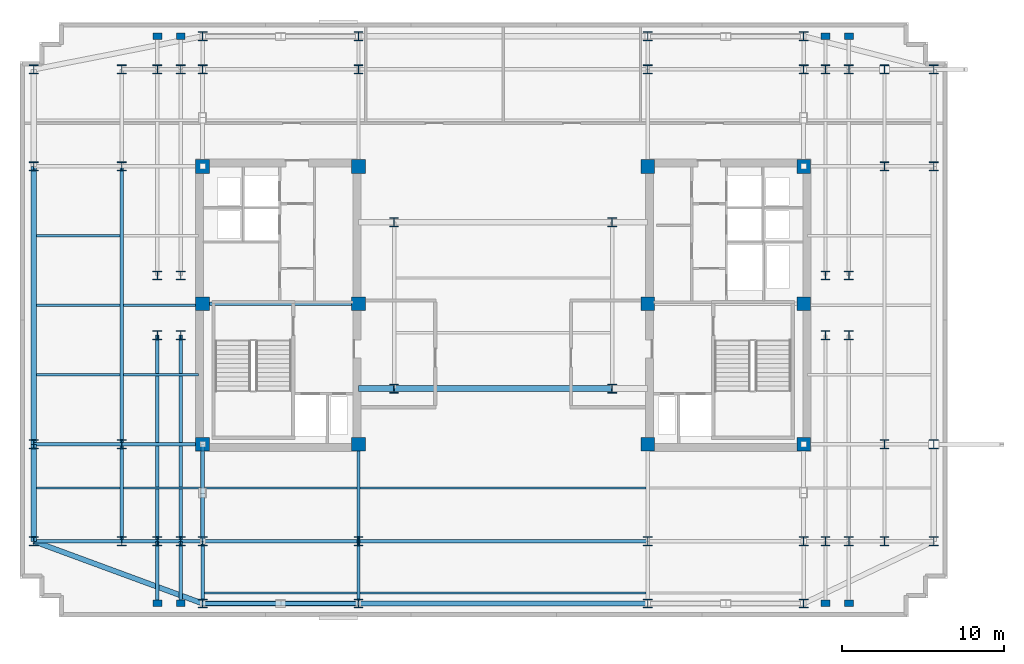
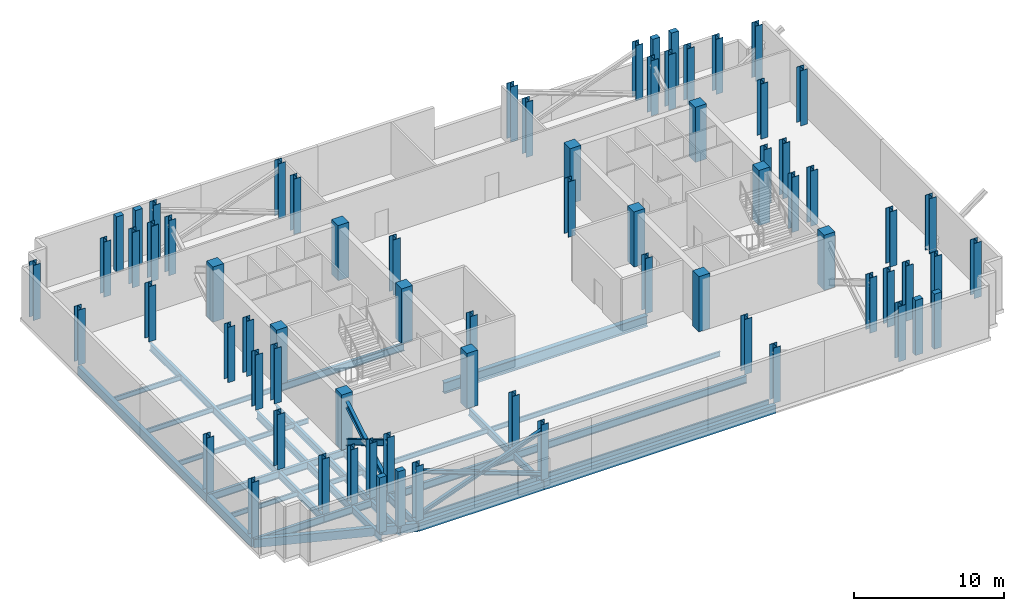
# One storey, part 1 of 8: 72 columns, 35 beams, 6 members.
"""IFC4 building model written with IfcOpenShell, lengths in metres."""

from ifc_helpers import new_model, si_unit, direction, frame, origin, origin_2d, place, context, subcontext, project, spatial, rectangle, i_section, extrude, material, material_profile, profile_set, type_object, element, save


model = new_model("IFC4")

# Units and contexts
model_context = context("Model", 3, precision=1e-05, world=origin(), true_north=direction((0.0, 1.0)))
body_context = subcontext(model_context, "Body", "Model", "MODEL_VIEW")
ifc_project = project(units=[si_unit("LENGTHUNIT", "METRE"), si_unit("AREAUNIT", "SQUARE_METRE"), si_unit("VOLUMEUNIT", "CUBIC_METRE"), si_unit("PLANEANGLEUNIT", "RADIAN"), si_unit("MASSUNIT", "GRAM", prefix="KILO")], contexts=[model_context])

# Site, building, storey
site_placement = place(None, origin())
site = spatial("IfcSite", under=ifc_project, at=site_placement, CompositionType="ELEMENT")
building_placement = place(site_placement, origin())
building = spatial("IfcBuilding", under=site, at=building_placement, Name="Velakula Bourse", CompositionType="ELEMENT")
storey_placement = place(building_placement, frame((0.0, 0.0, 243.0)))
storey = spatial("IfcBuildingStorey", under=building, at=storey_placement, Name="L66", CompositionType="ELEMENT", Elevation=243.0)

# Columns
ifc_material_1 = material(Name="Concrete M50 (fck 50 MPa)", Category="concrete")
ifc_material_profile_1 = material_profile(ifc_material_1, rectangle(XDim=0.85009765625, YDim=0.85009765625, at=origin_2d()), Name="Concrete M50 (fck 50 MPa)")
ifc_profile_set_1 = profile_set([ifc_material_profile_1], Name="Concrete M50 (fck 50 MPa)")
column_type_1 = type_object("IfcColumnType", Name="COL-RC-850", PredefinedType="COLUMN", material=ifc_profile_set_1)
for number, where, z_axis, x_axis, name in (
    (1, (-8.949951171875, -8.60009765625, 0.0), (0.0, 0.0, 1.0), (1.0, 0.0, 0.0), "L66 Core Boundary Column 01"),
    (2, (-8.949951171875, 0.10009765625, 0.0), (0.0, 0.0, 1.0), (1.0, 0.0, 0.0), "L66 Core Boundary Column 02"),
    (3, (-8.949951171875, 8.60009765625, 0.0), (0.0, 0.0, 1.0), (1.0, 0.0, 0.0), "L66 Core Boundary Column 03"),
    (4, (-18.60009765625, -8.60009765625, 0.0), (0.0, 0.0, 1.0), (1.0, 0.0, 0.0), "L66 Core Boundary Column 04"),
    (5, (-18.60009765625, 0.10009765625, 0.0), (0.0, 0.0, 1.0), (1.0, 0.0, 0.0), "L66 Core Boundary Column 05"),
    (6, (-18.60009765625, 8.60009765625, 0.0), (0.0, 0.0, 1.0), (1.0, 0.0, 0.0), "L66 Core Boundary Column 06"),
    (7, (8.949951171875, -8.60009765625, 0.0), (0.0, 0.0, 1.0), (1.0, 0.0, 0.0), "L66 Core Boundary Column 07"),
    (8, (8.949951171875, 0.10009765625, 0.0), (0.0, 0.0, 1.0), (1.0, 0.0, 0.0), "L66 Core Boundary Column 08"),
    (9, (8.949951171875, 8.60009765625, 0.0), (0.0, 0.0, 1.0), (1.0, 0.0, 0.0), "L66 Core Boundary Column 09"),
    (10, (18.60009765625, -8.60009765625, 0.0), (0.0, 0.0, 1.0), (1.0, 0.0, 0.0), "L66 Core Boundary Column 10"),
    (11, (18.60009765625, 0.10009765625, 0.0), (0.0, 0.0, 1.0), (1.0, 0.0, 0.0), "L66 Core Boundary Column 11"),
    (12, (18.60009765625, 8.60009765625, 0.0), (0.0, 0.0, 1.0), (1.0, 0.0, 0.0), "L66 Core Boundary Column 12"),
):
    element("IfcColumn", number, at=place(storey_placement, frame(where, z_axis=z_axis, x_axis=x_axis)), inside=storey, type_object=column_type_1, Name=name, PredefinedType="COLUMN", context=body_context, shape_type="SweptSolid", body=[
        extrude(rectangle(XDim=0.85009765625, YDim=0.85009765625, at=origin_2d()), origin(), (0.0, 0.0, 1.0), 4.5),
    ])
ifc_material_2 = material(Name="Steel IS 2062 Grade 350 (E350)", Category="steel")
ifc_material_profile_2 = material_profile(ifc_material_2, i_section(OverallWidth=0.550048828125, OverallDepth=0.550048828125, WebThickness=0.02392578125, FlangeThickness=0.035888671875, at=origin_2d()), Name="Steel IS 2062 Grade 350 (E350)")
ifc_profile_set_2 = profile_set([ifc_material_profile_2], Name="Steel IS 2062 Grade 350 (E350)")
column_type_2 = type_object("IfcColumnType", Name="COL-STL-550", PredefinedType="COLUMN", material=ifc_profile_set_2)
for number, where, z_axis, x_axis, name in (
    (13, (-6.75, -5.14990234375, 0.0), (0.0, 0.0, 1.0), (1.0, 0.0, 0.0), "L66 Central Spine Column 01"),
    (14, (-6.75, 5.14990234375, 0.0), (0.0, 0.0, 1.0), (1.0, 0.0, 0.0), "L66 Central Spine Column 02"),
    (15, (6.75, -5.14990234375, 0.0), (0.0, 0.0, 1.0), (1.0, 0.0, 0.0), "L66 Central Spine Column 03"),
    (16, (6.75, 5.14990234375, 0.0), (0.0, 0.0, 1.0), (1.0, 0.0, 0.0), "L66 Central Spine Column 04"),
    (17, (-21.39990234375, -14.60009765625, 0.0), (0.0, 0.0, 1.0), (1.0, 0.0, 0.0), "L66 Tower Fulcrum Column 01"),
    (18, (-21.39990234375, 14.60009765625, 0.0), (0.0, 0.0, 1.0), (1.0, 0.0, 0.0), "L66 Tower Fulcrum Column 02"),
    (19, (-19.949951171875, -14.60009765625, 0.0), (0.0, 0.0, 1.0), (1.0, 0.0, 0.0), "L66 Tower Fulcrum Column 03"),
    (20, (-19.949951171875, 14.60009765625, 0.0), (0.0, 0.0, 1.0), (1.0, 0.0, 0.0), "L66 Tower Fulcrum Column 04"),
    (21, (-18.60009765625, -14.60009765625, 0.0), (0.0, 0.0, 1.0), (1.0, 0.0, 0.0), "L66 Tower Fulcrum Column 05"),
    (22, (-18.60009765625, 14.60009765625, 0.0), (0.0, 0.0, 1.0), (1.0, 0.0, 0.0), "L66 Tower Fulcrum Column 06"),
    (23, (-8.949951171875, -14.60009765625, 0.0), (0.0, 0.0, 1.0), (1.0, 0.0, 0.0), "L66 Tower Fulcrum Column 07"),
    (24, (-8.949951171875, 14.60009765625, 0.0), (0.0, 0.0, 1.0), (1.0, 0.0, 0.0), "L66 Tower Fulcrum Column 08"),
    (25, (8.949951171875, -14.60009765625, 0.0), (0.0, 0.0, 1.0), (1.0, 0.0, 0.0), "L66 Tower Fulcrum Column 09"),
    (26, (8.949951171875, 14.60009765625, 0.0), (0.0, 0.0, 1.0), (1.0, 0.0, 0.0), "L66 Tower Fulcrum Column 10"),
    (27, (18.60009765625, -14.60009765625, 0.0), (0.0, 0.0, 1.0), (1.0, 0.0, 0.0), "L66 Tower Fulcrum Column 11"),
    (28, (18.60009765625, 14.60009765625, 0.0), (0.0, 0.0, 1.0), (1.0, 0.0, 0.0), "L66 Tower Fulcrum Column 12"),
    (29, (19.949951171875, -14.60009765625, 0.0), (0.0, 0.0, 1.0), (1.0, 0.0, 0.0), "L66 Tower Fulcrum Column 13"),
    (30, (19.949951171875, 14.60009765625, 0.0), (0.0, 0.0, 1.0), (1.0, 0.0, 0.0), "L66 Tower Fulcrum Column 14"),
    (31, (21.39990234375, -14.60009765625, 0.0), (0.0, 0.0, 1.0), (1.0, 0.0, 0.0), "L66 Tower Fulcrum Column 15"),
    (32, (21.39990234375, 14.60009765625, 0.0), (0.0, 0.0, 1.0), (1.0, 0.0, 0.0), "L66 Tower Fulcrum Column 16"),
    (33, (-21.39990234375, -1.85009765625, 0.0), (0.0, 0.0, 1.0), (1.0, 0.0, 0.0), "L66 Tower Fulcrum Column 17"),
    (34, (-21.39990234375, 1.85009765625, 0.0), (0.0, 0.0, 1.0), (1.0, 0.0, 0.0), "L66 Tower Fulcrum Column 18"),
    (35, (-19.949951171875, -1.85009765625, 0.0), (0.0, 0.0, 1.0), (1.0, 0.0, 0.0), "L66 Tower Fulcrum Column 19"),
    (36, (-19.949951171875, 1.85009765625, 0.0), (0.0, 0.0, 1.0), (1.0, 0.0, 0.0), "L66 Tower Fulcrum Column 20"),
    (37, (19.949951171875, -1.85009765625, 0.0), (0.0, 0.0, 1.0), (1.0, 0.0, 0.0), "L66 Tower Fulcrum Column 21"),
    (38, (19.949951171875, 1.85009765625, 0.0), (0.0, 0.0, 1.0), (1.0, 0.0, 0.0), "L66 Tower Fulcrum Column 22"),
    (39, (21.39990234375, -1.85009765625, 0.0), (0.0, 0.0, 1.0), (1.0, 0.0, 0.0), "L66 Tower Fulcrum Column 23"),
    (40, (21.39990234375, 1.85009765625, 0.0), (0.0, 0.0, 1.0), (1.0, 0.0, 0.0), "L66 Tower Fulcrum Column 24"),
    (41, (-23.60009765625, -14.60009765625, 0.0), (0.0, 0.0, 1.0), (1.0, 0.0, 0.0), "L66 Mid-Wing Plumb Column 01"),
    (42, (-23.60009765625, -8.60009765625, 0.0), (0.0, 0.0, 1.0), (1.0, 0.0, 0.0), "L66 Mid-Wing Plumb Column 02"),
    (43, (-23.60009765625, 8.60009765625, 0.0), (0.0, 0.0, 1.0), (1.0, 0.0, 0.0), "L66 Mid-Wing Plumb Column 03"),
    (44, (-23.60009765625, 14.60009765625, 0.0), (0.0, 0.0, 1.0), (1.0, 0.0, 0.0), "L66 Mid-Wing Plumb Column 04"),
    (45, (23.60009765625, -14.60009765625, 0.0), (0.0, 0.0, 1.0), (1.0, 0.0, 0.0), "L66 Mid-Wing Plumb Column 05"),
    (46, (23.60009765625, -8.60009765625, 0.0), (0.0, 0.0, 1.0), (1.0, 0.0, 0.0), "L66 Mid-Wing Plumb Column 06"),
    (47, (23.60009765625, 8.60009765625, 0.0), (0.0, 0.0, 1.0), (1.0, 0.0, 0.0), "L66 Mid-Wing Plumb Column 07"),
    (48, (23.60009765625, 14.60009765625, 0.0), (0.0, 0.0, 1.0), (1.0, 0.0, 0.0), "L66 Mid-Wing Plumb Column 08"),
    (49, (-18.60009765625, -18.449951171875, 0.0), (0.0, 0.0, 1.0), (1.0, 0.0, 0.0), "L66 Block B5 Perimeter Column S1"),
    (50, (-8.949951171875, -18.449951171875, 0.0), (0.0, 0.0, 1.0), (1.0, 0.0, 0.0), "L66 Block B5 Perimeter Column S2"),
    (51, (8.949951171875, -18.449951171875, 0.0), (0.0, 0.0, 1.0), (1.0, 0.0, 0.0), "L66 Block B5 Perimeter Column S3"),
    (52, (18.60009765625, -18.449951171875, 0.0), (0.0, 0.0, 1.0), (1.0, 0.0, 0.0), "L66 Block B5 Perimeter Column S4"),
    (53, (-18.60009765625, 16.64990234375, 0.0), (0.0, 0.0, 1.0), (1.0, 0.0, 0.0), "L66 Block B5 Perimeter Column N1"),
    (54, (-8.949951171875, 16.64990234375, 0.0), (0.0, 0.0, 1.0), (1.0, 0.0, 0.0), "L66 Block B5 Perimeter Column N2"),
    (55, (8.949951171875, 16.64990234375, 0.0), (0.0, 0.0, 1.0), (1.0, 0.0, 0.0), "L66 Block B5 Perimeter Column N3"),
    (56, (18.60009765625, 16.64990234375, 0.0), (0.0, 0.0, 1.0), (1.0, 0.0, 0.0), "L66 Block B5 Perimeter Column N4"),
    (57, (-29.050048828125, -14.60009765625, 0.0), (0.0, 0.0, 1.0), (1.0, 0.0, 0.0), "L66 Block B5 Perimeter Column W1"),
    (58, (-29.050048828125, -8.60009765625, 0.0), (0.0, 0.0, 1.0), (1.0, 0.0, 0.0), "L66 Block B5 Perimeter Column W2"),
    (59, (-29.050048828125, 8.60009765625, 0.0), (0.0, 0.0, 1.0), (1.0, 0.0, 0.0), "L66 Block B5 Perimeter Column W3"),
    (60, (-29.050048828125, 14.60009765625, 0.0), (0.0, 0.0, 1.0), (1.0, 0.0, 0.0), "L66 Block B5 Perimeter Column W4"),
    (61, (26.64990234375, -14.60009765625, 0.0), (0.0, 0.0, 1.0), (1.0, 0.0, 0.0), "L66 Block B5 Perimeter Column E1"),
    (62, (26.64990234375, -8.60009765625, 0.0), (0.0, 0.0, 1.0), (1.0, 0.0, 0.0), "L66 Block B5 Perimeter Column E2"),
    (63, (26.64990234375, 8.60009765625, 0.0), (0.0, 0.0, 1.0), (1.0, 0.0, 0.0), "L66 Block B5 Perimeter Column E3"),
    (64, (26.64990234375, 14.60009765625, 0.0), (0.0, 0.0, 1.0), (1.0, 0.0, 0.0), "L66 Block B5 Perimeter Column E4"),
):
    element("IfcColumn", number, at=place(storey_placement, frame(where, z_axis=z_axis, x_axis=x_axis)), inside=storey, type_object=column_type_2, Name=name, PredefinedType="COLUMN", context=body_context, shape_type="SweptSolid", body=[
        extrude(i_section(OverallWidth=0.550048828125, OverallDepth=0.550048828125, WebThickness=0.02392578125, FlangeThickness=0.035888671875, at=origin_2d()), origin(), (0.0, 0.0, 1.0), 4.5),
    ])
ifc_material_3 = material(Name="Precast concrete M45 (fck 45 MPa)", Category="concrete")
ifc_material_profile_3 = material_profile(ifc_material_3, rectangle(XDim=0.550048828125, YDim=0.39990234375, at=origin_2d()), Name="Precast concrete M45 (fck 45 MPa)")
ifc_profile_set_3 = profile_set([ifc_material_profile_3], Name="Precast concrete M45 (fck 45 MPa)")
column_type_3 = type_object("IfcColumnType", Name="PIL-BRICK-550", PredefinedType="PILASTER", material=ifc_profile_set_3)
for number, where, z_axis, x_axis, name in (
    (65, (-21.39990234375, -18.449951171875, 0.0), (0.0, 0.0, 1.0), (1.0, 0.0, 0.0), "L66 Brick Pier Pilaster 01"),
    (66, (-19.949951171875, -18.449951171875, 0.0), (0.0, 0.0, 1.0), (1.0, 0.0, 0.0), "L66 Brick Pier Pilaster 02"),
    (67, (19.949951171875, -18.449951171875, 0.0), (0.0, 0.0, 1.0), (1.0, 0.0, 0.0), "L66 Brick Pier Pilaster 03"),
    (68, (21.39990234375, -18.449951171875, 0.0), (0.0, 0.0, 1.0), (1.0, 0.0, 0.0), "L66 Brick Pier Pilaster 04"),
    (69, (-21.39990234375, 16.64990234375, 0.0), (0.0, 0.0, 1.0), (1.0, 0.0, 0.0), "L66 Brick Pier Pilaster 05"),
    (70, (-19.949951171875, 16.64990234375, 0.0), (0.0, 0.0, 1.0), (1.0, 0.0, 0.0), "L66 Brick Pier Pilaster 06"),
    (71, (19.949951171875, 16.64990234375, 0.0), (0.0, 0.0, 1.0), (1.0, 0.0, 0.0), "L66 Brick Pier Pilaster 07"),
    (72, (21.39990234375, 16.64990234375, 0.0), (0.0, 0.0, 1.0), (1.0, 0.0, 0.0), "L66 Brick Pier Pilaster 08"),
):
    element("IfcColumn", number, at=place(storey_placement, frame(where, z_axis=z_axis, x_axis=x_axis)), inside=storey, type_object=column_type_3, Name=name, PredefinedType="PILASTER", context=body_context, shape_type="SweptSolid", body=[
        extrude(rectangle(XDim=0.550048828125, YDim=0.39990234375, at=origin_2d()), origin(), (0.0, 0.0, 1.0), 4.5),
    ])

# Beams
ifc_material_profile_4 = material_profile(ifc_material_2, i_section(OverallWidth=0.2099609375, OverallDepth=0.60009765625, WebThickness=0.011962890625, FlangeThickness=0.020751953125, at=origin_2d()), Name="Steel IS 2062 Grade 350 (E350)")
ifc_profile_set_4 = profile_set([ifc_material_profile_4], Name="Steel IS 2062 Grade 350 (E350)")
beam_type_1 = type_object("IfcBeamType", Name="BM-GRD-600L", PredefinedType="BEAM", material=ifc_profile_set_4)
beam_1_placement = place(storey_placement, frame((-18.60009765625, 0.10009765625, -0.580078125), z_axis=(1.0, 0.0, 0.0), x_axis=(0.0, 1.0, 0.0)))
element("IfcBeam", 73, at=beam_1_placement, inside=storey, type_object=beam_type_1, Name="L66 Primary Backbone Girder CRW-M", PredefinedType="BEAM", context=body_context, shape_type="SweptSolid", body=[
    extrude(i_section(OverallWidth=0.2099609375, OverallDepth=0.60009765625, WebThickness=0.011962890625, FlangeThickness=0.020751953125, at=origin_2d()), origin(), (0.0, 0.0, 1.0), 9.650146484375),
])
for number, where, z_axis, x_axis, name in (
    (74, (-18.60009765625, -14.60009765625, -0.580078125), (0.0, 1.0, 0.0), (-1.0, 0.0, 0.0), "L66 Fulcrum Grid Girder FLC-WS"),
    (75, (-8.949951171875, -14.60009765625, -0.580078125), (0.0, 1.0, 0.0), (-1.0, 0.0, 0.0), "L66 Fulcrum Grid Girder FLC-WCS"),
):
    element("IfcBeam", number, at=place(storey_placement, frame(where, z_axis=z_axis, x_axis=x_axis)), inside=storey, type_object=beam_type_1, Name=name, PredefinedType="BEAM", context=body_context, shape_type="SweptSolid", body=[
        extrude(i_section(OverallWidth=0.2099609375, OverallDepth=0.60009765625, WebThickness=0.011962890625, FlangeThickness=0.020751953125, at=origin_2d()), origin(), (0.0, 0.0, 1.0), 6.0),
    ])
beam_2_placement = place(storey_placement, frame((-18.60009765625, -14.60009765625, -0.580078125), z_axis=(1.0, 0.0, 0.0), x_axis=(0.0, 1.0, 0.0)))
element("IfcBeam", 76, at=beam_2_placement, inside=storey, type_object=beam_type_1, Name="L66 Fulcrum Grid Girder FLC-S1", PredefinedType="BEAM", context=body_context, shape_type="SweptSolid", body=[
    extrude(i_section(OverallWidth=0.2099609375, OverallDepth=0.60009765625, WebThickness=0.011962890625, FlangeThickness=0.020751953125, at=origin_2d()), origin(), (0.0, 0.0, 1.0), 9.650146484375),
])
beam_3_placement = place(storey_placement, frame((-8.949951171875, -14.60009765625, -0.580078125), z_axis=(1.0, 0.0, 0.0), x_axis=(0.0, 1.0, 0.0)))
element("IfcBeam", 77, at=beam_3_placement, inside=storey, type_object=beam_type_1, Name="L66 Fulcrum Grid Girder FLC-S2", PredefinedType="BEAM", context=body_context, shape_type="SweptSolid", body=[
    extrude(i_section(OverallWidth=0.2099609375, OverallDepth=0.60009765625, WebThickness=0.011962890625, FlangeThickness=0.020751953125, at=origin_2d()), origin(), (0.0, 0.0, 1.0), 17.89990234375),
])
for number, where, z_axis, x_axis, name in (
    (78, (-21.39990234375, -14.60009765625, -0.580078125), (0.0, 1.0, 0.0), (-1.0, 0.0, 0.0), "L66 Fulcrum Grid Girder FLC-PSW1"),
    (79, (-19.949951171875, -14.60009765625, -0.580078125), (0.0, 1.0, 0.0), (-1.0, 0.0, 0.0), "L66 Fulcrum Grid Girder FLC-PSW2"),
):
    element("IfcBeam", number, at=place(storey_placement, frame(where, z_axis=z_axis, x_axis=x_axis)), inside=storey, type_object=beam_type_1, Name=name, PredefinedType="BEAM", context=body_context, shape_type="SweptSolid", body=[
        extrude(i_section(OverallWidth=0.2099609375, OverallDepth=0.60009765625, WebThickness=0.011962890625, FlangeThickness=0.020751953125, at=origin_2d()), origin(), (0.0, 0.0, 1.0), 12.75),
    ])
for number, where, z_axis, x_axis, name in (
    (80, (-23.60009765625, -14.60009765625, -0.580078125), (1.0, 0.0, 0.0), (0.0, 1.0, 0.0), "L66 Fulcrum Grid Girder MWG-WS1"),
    (81, (-23.60009765625, -8.60009765625, -0.580078125), (1.0, 0.0, 0.0), (0.0, 1.0, 0.0), "L66 Fulcrum Grid Girder MWG-WS2"),
):
    element("IfcBeam", number, at=place(storey_placement, frame(where, z_axis=z_axis, x_axis=x_axis)), inside=storey, type_object=beam_type_1, Name=name, PredefinedType="BEAM", context=body_context, shape_type="SweptSolid", body=[
        extrude(i_section(OverallWidth=0.2099609375, OverallDepth=0.60009765625, WebThickness=0.011962890625, FlangeThickness=0.020751953125, at=origin_2d()), origin(), (0.0, 0.0, 1.0), 5.0),
    ])
beam_4_placement = place(storey_placement, frame((-23.60009765625, -14.60009765625, -0.580078125), z_axis=(0.0, 1.0, 0.0), x_axis=(-1.0, 0.0, 0.0)))
element("IfcBeam", 82, at=beam_4_placement, inside=storey, type_object=beam_type_1, Name="L66 Fulcrum Grid Girder MWG-WNS1", PredefinedType="BEAM", context=body_context, shape_type="SweptSolid", body=[
    extrude(i_section(OverallWidth=0.2099609375, OverallDepth=0.60009765625, WebThickness=0.011962890625, FlangeThickness=0.020751953125, at=origin_2d()), origin(), (0.0, 0.0, 1.0), 6.0),
])
beam_5_placement = place(storey_placement, frame((-23.60009765625, -8.60009765625, -0.580078125), z_axis=(0.0, 1.0, 0.0), x_axis=(-1.0, 0.0, 0.0)))
element("IfcBeam", 83, at=beam_5_placement, inside=storey, type_object=beam_type_1, Name="L66 Fulcrum Grid Girder MWG-WNS2", PredefinedType="BEAM", context=body_context, shape_type="SweptSolid", body=[
    extrude(i_section(OverallWidth=0.2099609375, OverallDepth=0.60009765625, WebThickness=0.011962890625, FlangeThickness=0.020751953125, at=origin_2d()), origin(), (0.0, 0.0, 1.0), 17.2001953125),
])
for number, where, z_axis, x_axis, name in (
    (84, (-18.60009765625, -14.60009765625, -0.580078125), (0.0, -1.0, 0.0), (1.0, 0.0, 0.0), "L66 Perimeter Tie Girder S1"),
    (85, (-8.949951171875, -14.60009765625, -0.580078125), (0.0, -1.0, 0.0), (1.0, 0.0, 0.0), "L66 Perimeter Tie Girder S2"),
):
    element("IfcBeam", number, at=place(storey_placement, frame(where, z_axis=z_axis, x_axis=x_axis)), inside=storey, type_object=beam_type_1, Name=name, PredefinedType="BEAM", context=body_context, shape_type="SweptSolid", body=[
        extrude(i_section(OverallWidth=0.2099609375, OverallDepth=0.60009765625, WebThickness=0.011962890625, FlangeThickness=0.020751953125, at=origin_2d()), origin(), (0.0, 0.0, 1.0), 3.849853515625),
    ])
for number, where, z_axis, x_axis, name in (
    (86, (-23.60009765625, -14.60009765625, -0.580078125), (-1.0, 0.0, 0.0), (0.0, -1.0, 0.0), "L66 Perimeter Tie Girder W1"),
    (87, (-23.60009765625, -8.60009765625, -0.580078125), (-1.0, 0.0, 0.0), (0.0, -1.0, 0.0), "L66 Perimeter Tie Girder W2"),
):
    element("IfcBeam", number, at=place(storey_placement, frame(where, z_axis=z_axis, x_axis=x_axis)), inside=storey, type_object=beam_type_1, Name=name, PredefinedType="BEAM", context=body_context, shape_type="SweptSolid", body=[
        extrude(i_section(OverallWidth=0.2099609375, OverallDepth=0.60009765625, WebThickness=0.011962890625, FlangeThickness=0.020751953125, at=origin_2d()), origin(), (0.0, 0.0, 1.0), 5.449951171875),
    ])
for number, where, z_axis, x_axis, name in (
    (88, (-21.39990234375, -14.60009765625, -0.580078125), (0.0, -1.0, 0.0), (1.0, 0.0, 0.0), "L66 Perimeter Tie Girder P01"),
    (89, (-19.949951171875, -14.60009765625, -0.580078125), (0.0, -1.0, 0.0), (1.0, 0.0, 0.0), "L66 Perimeter Tie Girder P02"),
):
    element("IfcBeam", number, at=place(storey_placement, frame(where, z_axis=z_axis, x_axis=x_axis)), inside=storey, type_object=beam_type_1, Name=name, PredefinedType="BEAM", context=body_context, shape_type="SweptSolid", body=[
        extrude(i_section(OverallWidth=0.2099609375, OverallDepth=0.60009765625, WebThickness=0.011962890625, FlangeThickness=0.020751953125, at=origin_2d()), origin(), (0.0, 0.0, 1.0), 3.849853515625),
    ])
ifc_material_profile_5 = material_profile(ifc_material_2, i_section(OverallWidth=0.35009765625, OverallDepth=0.89990234375, WebThickness=0.02001953125, FlangeThickness=0.031982421875, at=origin_2d()), Name="Steel IS 2062 Grade 350 (E350)")
ifc_profile_set_5 = profile_set([ifc_material_profile_5], Name="Steel IS 2062 Grade 350 (E350)")
beam_type_2 = type_object("IfcBeamType", Name="BM-LNK-900", PredefinedType="BEAM", material=ifc_profile_set_5)
beam_6_placement = place(storey_placement, frame((-8.949951171875, -5.14990234375, -0.72998046875), z_axis=(1.0, 0.0, 0.0), x_axis=(0.0, 1.0, 0.0)))
element("IfcBeam", 90, at=beam_6_placement, inside=storey, type_object=beam_type_2, Name="L66 Primary Backbone Girder LNK-S1", PredefinedType="BEAM", context=body_context, shape_type="SweptSolid", body=[
    extrude(i_section(OverallWidth=0.35009765625, OverallDepth=0.89990234375, WebThickness=0.02001953125, FlangeThickness=0.031982421875, at=origin_2d()), origin(), (0.0, 0.0, 1.0), 2.199951171875),
])
beam_7_placement = place(storey_placement, frame((-6.75, -5.14990234375, -0.72998046875), z_axis=(1.0, 0.0, 0.0), x_axis=(0.0, 1.0, 0.0)))
element("IfcBeam", 91, at=beam_7_placement, inside=storey, type_object=beam_type_2, Name="L66 Primary Backbone Girder LNK-S2", PredefinedType="BEAM", context=body_context, shape_type="SweptSolid", body=[
    extrude(i_section(OverallWidth=0.35009765625, OverallDepth=0.89990234375, WebThickness=0.02001953125, FlangeThickness=0.031982421875, at=origin_2d()), origin(), (0.0, 0.0, 1.0), 13.5),
])

# Members
ifc_material_profile_6 = material_profile(ifc_material_2, i_section(OverallWidth=0.25, OverallDepth=0.300048828125, WebThickness=0.009521484375, FlangeThickness=0.010498046875, at=origin_2d()), Name="Steel IS 2062 Grade 350 (E350)")
ifc_profile_set_6 = profile_set([ifc_material_profile_6], Name="Steel IS 2062 Grade 350 (E350)")
member_type_1 = type_object("IfcMemberType", Name="BR-BLT-300", PredefinedType="BRACE", material=ifc_profile_set_6)
member_1_placement = place(storey_placement, frame((-18.60009765625, -18.449951171875, 0.300048828125), z_axis=(0.937877208605, 0.0, 0.346967349443), x_axis=(0.0, 1.0, 0.0)))
element("IfcMember", 92, at=member_1_placement, inside=storey, type_object=member_type_1, Name="L66 Continuous Outrigger and Belt X-Brace BT-S1", PredefinedType="BRACE", context=body_context, shape_type="SweptSolid", body=[
    extrude(i_section(OverallWidth=0.25, OverallDepth=0.300048828125, WebThickness=0.009521484375, FlangeThickness=0.010498046875, at=origin_2d()), origin(), (0.0, 0.0, 1.0), 10.289306640625),
])
member_2_placement = place(storey_placement, frame((-8.949951171875, -18.449951171875, 0.300048828125), z_axis=(-0.937887559237, 0.0, 0.346939369671), x_axis=(0.0, -1.0, 0.0)))
element("IfcMember", 93, at=member_2_placement, inside=storey, type_object=member_type_1, Name="L66 Split X-Brace Lower Segment BT-S2A", PredefinedType="BRACE", context=body_context, shape_type="SweptSolid", body=[
    extrude(i_section(OverallWidth=0.25, OverallDepth=0.300048828125, WebThickness=0.009521484375, FlangeThickness=0.010498046875, at=origin_2d()), origin(), (0.0, 0.0, 1.0), 5.004638671875),
])
member_3_placement = place(storey_placement, frame((-13.90625, -18.449951171875, 2.133544921875), z_axis=(-0.937871685262, 0.0, 0.346982279063), x_axis=(0.0, -1.0, 0.0)))
element("IfcMember", 94, at=member_3_placement, inside=storey, type_object=member_type_1, Name="L66 Split X-Brace Upper Segment BT-S2B", PredefinedType="BRACE", context=body_context, shape_type="SweptSolid", body=[
    extrude(i_section(OverallWidth=0.25, OverallDepth=0.300048828125, WebThickness=0.009521484375, FlangeThickness=0.010498046875, at=origin_2d()), origin(), (0.0, 0.0, 1.0), 5.0048828125),
])
ifc_material_profile_7 = material_profile(ifc_material_2, i_section(OverallWidth=0.25, OverallDepth=0.449951171875, WebThickness=0.01123046875, FlangeThickness=0.013671875, at=origin_2d()), Name="Steel IS 2062 Grade 350 (E350)")
ifc_profile_set_7 = profile_set([ifc_material_profile_7], Name="Steel IS 2062 Grade 350 (E350)")
member_type_2 = type_object("IfcMemberType", Name="BR-OTR-450", PredefinedType="BRACE", material=ifc_profile_set_7)
member_4_placement = place(storey_placement, frame((-18.60009765625, -8.60009765625, 0.300048828125), z_axis=(0.0, -0.859378499817, 0.511339998487), x_axis=(1.0, 0.0, 0.0)))
element("IfcMember", 95, at=member_4_placement, inside=storey, type_object=member_type_2, Name="L66 Continuous Outrigger and Belt X-Brace OT-NS1", PredefinedType="BRACE", context=body_context, shape_type="SweptSolid", body=[
    extrude(i_section(OverallWidth=0.25, OverallDepth=0.449951171875, WebThickness=0.01123046875, FlangeThickness=0.013671875, at=origin_2d()), origin(), (0.0, 0.0, 1.0), 6.981689453125),
])
member_5_placement = place(storey_placement, frame((-18.60009765625, -14.60009765625, 0.300048828125), z_axis=(0.0, 0.859402650947, 0.511299406947), x_axis=(-1.0, 0.0, 0.0)))
element("IfcMember", 96, at=member_5_placement, inside=storey, type_object=member_type_2, Name="L66 Split X-Brace Lower Segment OT-NS2A", PredefinedType="BRACE", context=body_context, shape_type="SweptSolid", body=[
    extrude(i_section(OverallWidth=0.25, OverallDepth=0.449951171875, WebThickness=0.01123046875, FlangeThickness=0.013671875, at=origin_2d()), origin(), (0.0, 0.0, 1.0), 3.35107421875),
])
member_6_placement = place(storey_placement, frame((-18.60009765625, -11.479736328125, 2.156494140625), z_axis=(0.0, 0.85935158543, 0.511385229176), x_axis=(-1.0, 0.0, 0.0)))
element("IfcMember", 97, at=member_6_placement, inside=storey, type_object=member_type_2, Name="L66 Split X-Brace Upper Segment OT-NS2B", PredefinedType="BRACE", context=body_context, shape_type="SweptSolid", body=[
    extrude(i_section(OverallWidth=0.25, OverallDepth=0.449951171875, WebThickness=0.01123046875, FlangeThickness=0.013671875, at=origin_2d()), origin(), (0.0, 0.0, 1.0), 3.350830078125),
])

# Beams
ifc_material_profile_8 = material_profile(ifc_material_2, i_section(OverallWidth=0.139892578125, OverallDepth=0.39990234375, WebThickness=0.0087890625, FlangeThickness=0.01611328125, at=origin_2d()), Name="Steel IS 2062 Grade 350 (E350)")
ifc_profile_set_8 = profile_set([ifc_material_profile_8], Name="Steel IS 2062 Grade 350 (E350)")
beam_type_3 = type_object("IfcBeamType", Name="JST-TWR-400", PredefinedType="JOIST", material=ifc_profile_set_8)
beam_8_placement = place(storey_placement, frame((-18.4951171875, -17.800048828125, -0.47998046875), z_axis=(1.0, 0.0, 0.0), x_axis=(0.0, 1.0, 0.0)))
element("IfcBeam", 98, at=beam_8_placement, inside=storey, type_object=beam_type_3, Name="L66 Trading Floor Composite Joist 01", PredefinedType="JOIST", context=body_context, shape_type="SweptSolid", body=[
    extrude(i_section(OverallWidth=0.139892578125, OverallDepth=0.39990234375, WebThickness=0.0087890625, FlangeThickness=0.01611328125, at=origin_2d()), origin(), (0.0, 0.0, 1.0), 9.440185546875),
])
beam_9_placement = place(storey_placement, frame((-8.844970703125, -17.800048828125, -0.47998046875), z_axis=(1.0, 0.0, 0.0), x_axis=(0.0, 1.0, 0.0)))
element("IfcBeam", 99, at=beam_9_placement, inside=storey, type_object=beam_type_3, Name="L66 Trading Floor Composite Joist 02", PredefinedType="JOIST", context=body_context, shape_type="SweptSolid", body=[
    extrude(i_section(OverallWidth=0.139892578125, OverallDepth=0.39990234375, WebThickness=0.0087890625, FlangeThickness=0.01611328125, at=origin_2d()), origin(), (0.0, 0.0, 1.0), 17.68994140625),
])
beam_10_placement = place(storey_placement, frame((-28.889892578125, -11.300048828125, -0.47998046875), z_axis=(1.0, 0.0, 0.0), x_axis=(0.0, 1.0, 0.0)))
element("IfcBeam", 100, at=beam_10_placement, inside=storey, type_object=beam_type_3, Name="L66 Trading Floor Composite Joist 04", PredefinedType="JOIST", context=body_context, shape_type="SweptSolid", body=[
    extrude(i_section(OverallWidth=0.139892578125, OverallDepth=0.39990234375, WebThickness=0.0087890625, FlangeThickness=0.01611328125, at=origin_2d()), origin(), (0.0, 0.0, 1.0), 5.184814453125),
])
beam_11_placement = place(storey_placement, frame((-23.4951171875, -11.300048828125, -0.47998046875), z_axis=(1.0, 0.0, 0.0), x_axis=(0.0, 1.0, 0.0)))
element("IfcBeam", 101, at=beam_11_placement, inside=storey, type_object=beam_type_3, Name="L66 Trading Floor Composite Joist 05", PredefinedType="JOIST", context=body_context, shape_type="SweptSolid", body=[
    extrude(i_section(OverallWidth=0.139892578125, OverallDepth=0.39990234375, WebThickness=0.0087890625, FlangeThickness=0.01611328125, at=origin_2d()), origin(), (0.0, 0.0, 1.0), 4.7900390625),
])
beam_12_placement = place(storey_placement, frame((-18.4951171875, -11.300048828125, -0.47998046875), z_axis=(1.0, 0.0, 0.0), x_axis=(0.0, 1.0, 0.0)))
element("IfcBeam", 102, at=beam_12_placement, inside=storey, type_object=beam_type_3, Name="L66 Trading Floor Composite Joist 06", PredefinedType="JOIST", context=body_context, shape_type="SweptSolid", body=[
    extrude(i_section(OverallWidth=0.139892578125, OverallDepth=0.39990234375, WebThickness=0.0087890625, FlangeThickness=0.01611328125, at=origin_2d()), origin(), (0.0, 0.0, 1.0), 9.440185546875),
])
beam_13_placement = place(storey_placement, frame((-8.844970703125, -11.300048828125, -0.47998046875), z_axis=(1.0, 0.0, 0.0), x_axis=(0.0, 1.0, 0.0)))
element("IfcBeam", 103, at=beam_13_placement, inside=storey, type_object=beam_type_3, Name="L66 Trading Floor Composite Joist 07", PredefinedType="JOIST", context=body_context, shape_type="SweptSolid", body=[
    extrude(i_section(OverallWidth=0.139892578125, OverallDepth=0.39990234375, WebThickness=0.0087890625, FlangeThickness=0.01611328125, at=origin_2d()), origin(), (0.0, 0.0, 1.0), 17.68994140625),
])
beam_14_placement = place(storey_placement, frame((-28.889892578125, -4.300048828125, -0.47998046875), z_axis=(1.0, 0.0, 0.0), x_axis=(0.0, 1.0, 0.0)))
element("IfcBeam", 104, at=beam_14_placement, inside=storey, type_object=beam_type_3, Name="L66 Trading Floor Composite Joist 20", PredefinedType="JOIST", context=body_context, shape_type="SweptSolid", body=[
    extrude(i_section(OverallWidth=0.139892578125, OverallDepth=0.39990234375, WebThickness=0.0087890625, FlangeThickness=0.01611328125, at=origin_2d()), origin(), (0.0, 0.0, 1.0), 5.184814453125),
])
beam_15_placement = place(storey_placement, frame((-23.4951171875, -4.300048828125, -0.47998046875), z_axis=(1.0, 0.0, 0.0), x_axis=(0.0, 1.0, 0.0)))
element("IfcBeam", 105, at=beam_15_placement, inside=storey, type_object=beam_type_3, Name="L66 Trading Floor Composite Joist 21", PredefinedType="JOIST", context=body_context, shape_type="SweptSolid", body=[
    extrude(i_section(OverallWidth=0.139892578125, OverallDepth=0.39990234375, WebThickness=0.0087890625, FlangeThickness=0.01611328125, at=origin_2d()), origin(), (0.0, 0.0, 1.0), 4.64501953125),
])
beam_16_placement = place(storey_placement, frame((-28.889892578125, 0.0, -0.47998046875), z_axis=(1.0, 0.0, 0.0), x_axis=(0.0, 1.0, 0.0)))
element("IfcBeam", 106, at=beam_16_placement, inside=storey, type_object=beam_type_3, Name="L66 Trading Floor Composite Joist 24", PredefinedType="JOIST", context=body_context, shape_type="SweptSolid", body=[
    extrude(i_section(OverallWidth=0.139892578125, OverallDepth=0.39990234375, WebThickness=0.0087890625, FlangeThickness=0.01611328125, at=origin_2d()), origin(), (0.0, 0.0, 1.0), 5.184814453125),
])
beam_17_placement = place(storey_placement, frame((-23.4951171875, 0.0, -0.47998046875), z_axis=(1.0, 0.0, 0.0), x_axis=(0.0, 1.0, 0.0)))
element("IfcBeam", 107, at=beam_17_placement, inside=storey, type_object=beam_type_3, Name="L66 Trading Floor Composite Joist 25", PredefinedType="JOIST", context=body_context, shape_type="SweptSolid", body=[
    extrude(i_section(OverallWidth=0.139892578125, OverallDepth=0.39990234375, WebThickness=0.0087890625, FlangeThickness=0.01611328125, at=origin_2d()), origin(), (0.0, 0.0, 1.0), 4.64501953125),
])
beam_18_placement = place(storey_placement, frame((-28.889892578125, 4.300048828125, -0.47998046875), z_axis=(1.0, 0.0, 0.0), x_axis=(0.0, 1.0, 0.0)))
element("IfcBeam", 108, at=beam_18_placement, inside=storey, type_object=beam_type_3, Name="L66 Trading Floor Composite Joist 28", PredefinedType="JOIST", context=body_context, shape_type="SweptSolid", body=[
    extrude(i_section(OverallWidth=0.139892578125, OverallDepth=0.39990234375, WebThickness=0.0087890625, FlangeThickness=0.01611328125, at=origin_2d()), origin(), (0.0, 0.0, 1.0), 5.184814453125),
])
ifc_material_profile_9 = material_profile(ifc_material_3, rectangle(XDim=0.320068359375, YDim=0.679931640625, at=origin_2d()), Name="Precast concrete M45 (fck 45 MPa)")
ifc_profile_set_9 = profile_set([ifc_material_profile_9], Name="Precast concrete M45 (fck 45 MPa)")
beam_type_4 = type_object("IfcBeamType", Name="SPN-BRICK-680", PredefinedType="SPANDREL", material=ifc_profile_set_9)
beam_19_placement = place(storey_placement, frame((-18.60009765625, -18.449951171875, -0.6201171875), z_axis=(1.0, 0.0, 0.0), x_axis=(0.0, 1.0, 0.0)))
element("IfcBeam", 109, at=beam_19_placement, inside=storey, type_object=beam_type_4, Name="L66 Brick-Faced Precast Spandrel S1-S2", PredefinedType="SPANDREL", context=body_context, shape_type="SweptSolid", body=[
    extrude(rectangle(XDim=0.320068359375, YDim=0.679931640625, at=origin_2d()), origin(), (0.0, 0.0, 1.0), 9.650146484375),
])
beam_20_placement = place(storey_placement, frame((-8.949951171875, -18.449951171875, -0.6201171875), z_axis=(1.0, 0.0, 0.0), x_axis=(0.0, 1.0, 0.0)))
element("IfcBeam", 110, at=beam_20_placement, inside=storey, type_object=beam_type_4, Name="L66 Brick-Faced Precast Spandrel S2-S3", PredefinedType="SPANDREL", context=body_context, shape_type="SweptSolid", body=[
    extrude(rectangle(XDim=0.320068359375, YDim=0.679931640625, at=origin_2d()), origin(), (0.0, 0.0, 1.0), 17.89990234375),
])
beam_21_placement = place(storey_placement, frame((-29.050048828125, -14.60009765625, -0.6201171875), z_axis=(0.0, 1.0, 0.0), x_axis=(-1.0, 0.0, 0.0)))
element("IfcBeam", 111, at=beam_21_placement, inside=storey, type_object=beam_type_4, Name="L66 Brick-Faced Precast Spandrel W1-W2", PredefinedType="SPANDREL", context=body_context, shape_type="SweptSolid", body=[
    extrude(rectangle(XDim=0.320068359375, YDim=0.679931640625, at=origin_2d()), origin(), (0.0, 0.0, 1.0), 6.0),
])
beam_22_placement = place(storey_placement, frame((-29.050048828125, -8.60009765625, -0.6201171875), z_axis=(0.0, 1.0, 0.0), x_axis=(-1.0, 0.0, 0.0)))
element("IfcBeam", 112, at=beam_22_placement, inside=storey, type_object=beam_type_4, Name="L66 Brick-Faced Precast Spandrel W2-W3", PredefinedType="SPANDREL", context=body_context, shape_type="SweptSolid", body=[
    extrude(rectangle(XDim=0.320068359375, YDim=0.679931640625, at=origin_2d()), origin(), (0.0, 0.0, 1.0), 17.2001953125),
])
beam_23_placement = place(storey_placement, frame((-29.050048828125, -14.60009765625, -0.6201171875), z_axis=(0.93834685962, -0.34569519962, 0.0), x_axis=(0.34569519962, 0.93834685962, 0.0)))
element("IfcBeam", 113, at=beam_23_placement, inside=storey, type_object=beam_type_4, Name="L66 Brick-Faced Precast Spandrel W1-S1", PredefinedType="SPANDREL", context=body_context, shape_type="SweptSolid", body=[
    extrude(rectangle(XDim=0.320068359375, YDim=0.679931640625, at=origin_2d()), origin(), (0.0, 0.0, 1.0), 11.136474609375),
])

save(model, "model.ifc")
